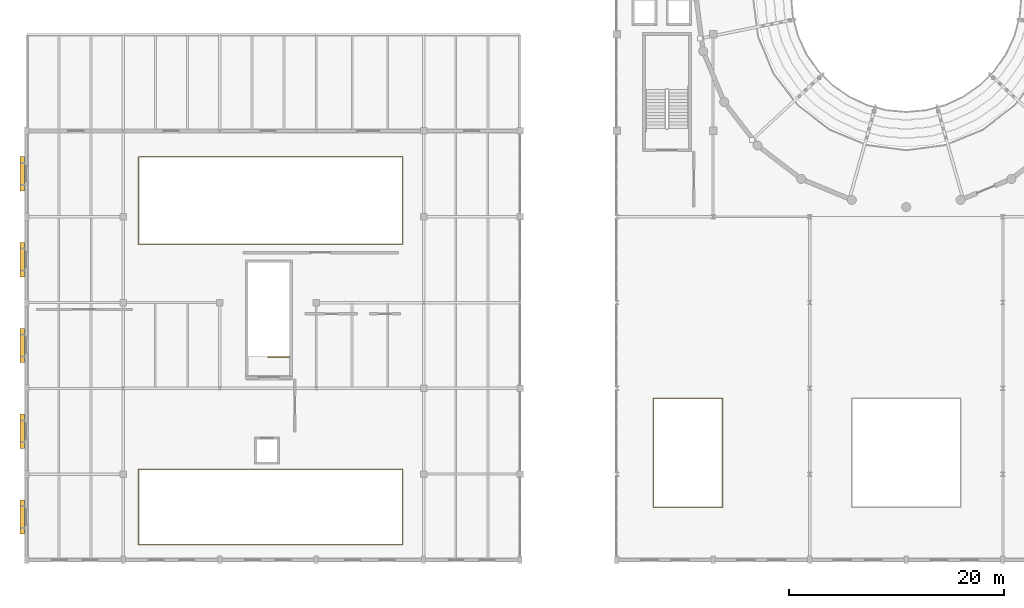
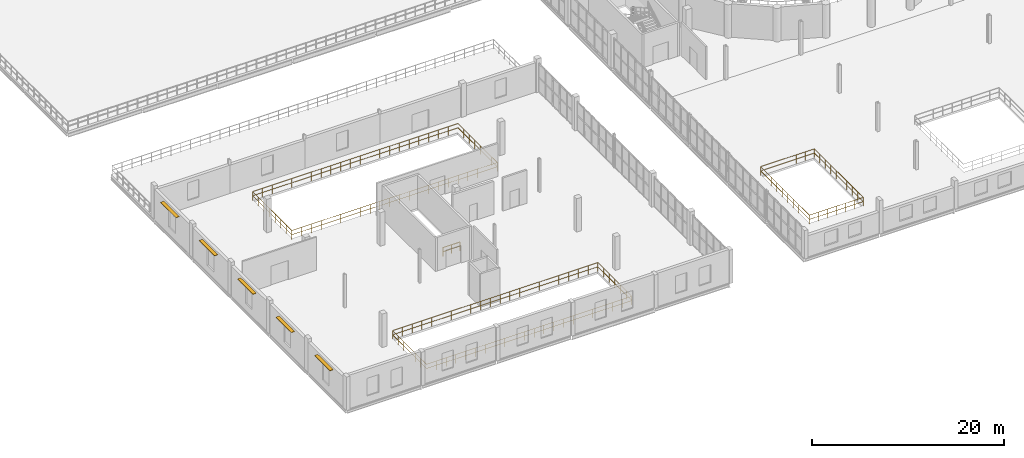
# One storey, part 64 of 73: 5 shading devices, 4 railings.
"""IFC4 building model written with IfcOpenShell, lengths in metres."""

from ifc_helpers import new_model, si_unit, direction, frame, origin, origin_2d, place, context, subcontext, project, spatial, rectangle, circle, extrude, material, layer, layer_set, type_object, element, save


model = new_model("IFC4")

# Units and contexts
model_context = context("Model", 3, precision=1e-05, world=origin(), true_north=direction((0.0, 1.0)))
body_context = subcontext(model_context, "Body", "Model", "MODEL_VIEW")
ifc_project = project(units=[si_unit("LENGTHUNIT", "METRE"), si_unit("AREAUNIT", "SQUARE_METRE"), si_unit("VOLUMEUNIT", "CUBIC_METRE"), si_unit("PLANEANGLEUNIT", "RADIAN"), si_unit("MASSUNIT", "GRAM", prefix="KILO")], contexts=[model_context])

# Site, building, storey
site_placement = place(None, origin())
site = spatial("IfcSite", under=ifc_project, at=site_placement, CompositionType="ELEMENT")
building_placement = place(site_placement, origin())
building = spatial("IfcBuilding", under=site, at=building_placement, Name="Marnock Terrace Opera House", CompositionType="ELEMENT")
storey_placement = place(building_placement, frame((0.0, 0.0, 14.699951171875)))
storey = spatial("IfcBuildingStorey", under=building, at=storey_placement, Name="L03", CompositionType="ELEMENT", Elevation=14.699951171875)

# Railings
ifc_material_1 = material(Name="Architectural bronze balustrade")
railing_type_1 = type_object("IfcRailingType", Name="RL-ATRIUM-1120", PredefinedType="BALUSTRADE", material=ifc_material_1)
railing_1_placement = place(storey_placement, frame((58.419921875, 12.919921875, 0.0)))
element("IfcRailing", 1, at=railing_1_placement, inside=storey, type_object=railing_type_1, Name="L03 floor opening balustrade ATR-1", PredefinedType="BALUSTRADE", context=body_context, shape_type="SweptSolid", body=[
    extrude(circle(Radius=0.02392578125, at=origin_2d()), frame((0.0, 0.0, 1.09619140625), z_axis=(1.0, 0.0, 0.0), x_axis=(0.0, 1.0, 0.0)), (0.0, 0.0, 1.0), 6.4599609375),
    extrude(circle(Radius=0.02392578125, at=origin_2d()), frame((0.0, 0.0, 0.56005859375), z_axis=(1.0, 0.0, 0.0), x_axis=(0.0, 1.0, 0.0)), (0.0, 0.0, 1.0), 6.4599609375),
    extrude(circle(Radius=0.02392578125, at=origin_2d()), frame((6.4599609375, 0.0, 1.09619140625), z_axis=(0.0, 1.0, 0.0), x_axis=(-1.0, 0.0, 0.0)), (0.0, 0.0, 1.0), 10.16015625),
    extrude(circle(Radius=0.02392578125, at=origin_2d()), frame((6.4599609375, 0.0, 0.56005859375), z_axis=(0.0, 1.0, 0.0), x_axis=(-1.0, 0.0, 0.0)), (0.0, 0.0, 1.0), 10.16015625),
    extrude(circle(Radius=0.02392578125, at=origin_2d()), frame((6.4599609375, 10.16015625, 1.09619140625), z_axis=(-1.0, 0.0, 0.0), x_axis=(0.0, -1.0, 0.0)), (0.0, 0.0, 1.0), 6.4599609375),
    extrude(circle(Radius=0.02392578125, at=origin_2d()), frame((6.4599609375, 10.16015625, 0.56005859375), z_axis=(-1.0, 0.0, 0.0), x_axis=(0.0, -1.0, 0.0)), (0.0, 0.0, 1.0), 6.4599609375),
    extrude(circle(Radius=0.02392578125, at=origin_2d()), frame((0.0, 10.16015625, 1.09619140625), z_axis=(0.0, -1.0, 0.0), x_axis=(1.0, 0.0, 0.0)), (0.0, 0.0, 1.0), 10.16015625),
    extrude(circle(Radius=0.02392578125, at=origin_2d()), frame((0.0, 10.16015625, 0.56005859375), z_axis=(0.0, -1.0, 0.0), x_axis=(1.0, 0.0, 0.0)), (0.0, 0.0, 1.0), 10.16015625),
    extrude(circle(Radius=0.02099609375, at=origin_2d()), origin(), (0.0, 0.0, 1.0), 1.072021484375),
    extrude(circle(Radius=0.02099609375, at=origin_2d()), frame((1.07666015625, 0.0, 0.0)), (0.0, 0.0, 1.0), 1.072021484375),
    extrude(circle(Radius=0.02099609375, at=origin_2d()), frame((2.1533203125, 0.0, 0.0)), (0.0, 0.0, 1.0), 1.072021484375),
    extrude(circle(Radius=0.02099609375, at=origin_2d()), frame((3.22998046875, 0.0, 0.0)), (0.0, 0.0, 1.0), 1.072021484375),
    extrude(circle(Radius=0.02099609375, at=origin_2d()), frame((4.306640625, 0.0, 0.0)), (0.0, 0.0, 1.0), 1.072021484375),
    extrude(circle(Radius=0.02099609375, at=origin_2d()), frame((5.38330078125, 0.0, 0.0)), (0.0, 0.0, 1.0), 1.072021484375),
    extrude(circle(Radius=0.02099609375, at=origin_2d()), frame((6.4599609375, 0.0, 0.0)), (0.0, 0.0, 1.0), 1.072021484375),
    extrude(circle(Radius=0.02099609375, at=origin_2d()), frame((6.4599609375, 1.12890625, 0.0)), (0.0, 0.0, 1.0), 1.072021484375),
    extrude(circle(Radius=0.02099609375, at=origin_2d()), frame((6.4599609375, 2.2578125, 0.0)), (0.0, 0.0, 1.0), 1.072021484375),
    extrude(circle(Radius=0.02099609375, at=origin_2d()), frame((6.4599609375, 3.38671875, 0.0)), (0.0, 0.0, 1.0), 1.072021484375),
    extrude(circle(Radius=0.02099609375, at=origin_2d()), frame((6.4599609375, 4.515625, 0.0)), (0.0, 0.0, 1.0), 1.072021484375),
    extrude(circle(Radius=0.02099609375, at=origin_2d()), frame((6.4599609375, 5.64453125, 0.0)), (0.0, 0.0, 1.0), 1.072021484375),
    extrude(circle(Radius=0.02099609375, at=origin_2d()), frame((6.4599609375, 6.7734375, 0.0)), (0.0, 0.0, 1.0), 1.072021484375),
    extrude(circle(Radius=0.02099609375, at=origin_2d()), frame((6.4599609375, 7.90234375, 0.0)), (0.0, 0.0, 1.0), 1.072021484375),
    extrude(circle(Radius=0.02099609375, at=origin_2d()), frame((6.4599609375, 9.03125, 0.0)), (0.0, 0.0, 1.0), 1.072021484375),
    extrude(circle(Radius=0.02099609375, at=origin_2d()), frame((6.4599609375, 10.16015625, 0.0)), (0.0, 0.0, 1.0), 1.072021484375),
    extrude(circle(Radius=0.02099609375, at=origin_2d()), frame((5.38330078125, 10.16015625, 0.0)), (0.0, 0.0, 1.0), 1.072021484375),
    extrude(circle(Radius=0.02099609375, at=origin_2d()), frame((4.306640625, 10.16015625, 0.0)), (0.0, 0.0, 1.0), 1.072021484375),
    extrude(circle(Radius=0.02099609375, at=origin_2d()), frame((3.22998046875, 10.16015625, 0.0)), (0.0, 0.0, 1.0), 1.072021484375),
    extrude(circle(Radius=0.02099609375, at=origin_2d()), frame((2.1533203125, 10.16015625, 0.0)), (0.0, 0.0, 1.0), 1.072021484375),
    extrude(circle(Radius=0.02099609375, at=origin_2d()), frame((1.07666015625, 10.16015625, 0.0)), (0.0, 0.0, 1.0), 1.072021484375),
    extrude(circle(Radius=0.02099609375, at=origin_2d()), frame((0.0, 10.16015625, 0.0)), (0.0, 0.0, 1.0), 1.072021484375),
    extrude(circle(Radius=0.02099609375, at=origin_2d()), frame((0.0, 9.03125, 0.0)), (0.0, 0.0, 1.0), 1.072021484375),
    extrude(circle(Radius=0.02099609375, at=origin_2d()), frame((0.0, 7.90234375, 0.0)), (0.0, 0.0, 1.0), 1.072021484375),
    extrude(circle(Radius=0.02099609375, at=origin_2d()), frame((0.0, 6.7734375, 0.0)), (0.0, 0.0, 1.0), 1.072021484375),
    extrude(circle(Radius=0.02099609375, at=origin_2d()), frame((0.0, 5.64453125, 0.0)), (0.0, 0.0, 1.0), 1.072021484375),
    extrude(circle(Radius=0.02099609375, at=origin_2d()), frame((0.0, 4.515625, 0.0)), (0.0, 0.0, 1.0), 1.072021484375),
    extrude(circle(Radius=0.02099609375, at=origin_2d()), frame((0.0, 3.38671875, 0.0)), (0.0, 0.0, 1.0), 1.072021484375),
    extrude(circle(Radius=0.02099609375, at=origin_2d()), frame((0.0, 2.2578125, 0.0)), (0.0, 0.0, 1.0), 1.072021484375),
    extrude(circle(Radius=0.02099609375, at=origin_2d()), frame((0.0, 1.12890625, 0.0)), (0.0, 0.0, 1.0), 1.072021484375),
])
railing_2_placement = place(storey_placement, frame((10.419921875, 9.419921875, 0.0)))
element("IfcRailing", 2, at=railing_2_placement, inside=storey, type_object=railing_type_1, Name="L03 floor opening balustrade CHAM-VOID-1", PredefinedType="BALUSTRADE", context=body_context, shape_type="SweptSolid", body=[
    extrude(circle(Radius=0.02392578125, at=origin_2d()), frame((0.0, 0.0, 1.09619140625), z_axis=(1.0, 0.0, 0.0), x_axis=(0.0, 1.0, 0.0)), (0.0, 0.0, 1.0), 24.66015625),
    extrude(circle(Radius=0.02392578125, at=origin_2d()), frame((0.0, 0.0, 0.56005859375), z_axis=(1.0, 0.0, 0.0), x_axis=(0.0, 1.0, 0.0)), (0.0, 0.0, 1.0), 24.66015625),
    extrude(circle(Radius=0.02392578125, at=origin_2d()), frame((24.66015625, 0.0, 1.09619140625), z_axis=(0.0, 1.0, 0.0), x_axis=(-1.0, 0.0, 0.0)), (0.0, 0.0, 1.0), 7.06005859375),
    extrude(circle(Radius=0.02392578125, at=origin_2d()), frame((24.66015625, 0.0, 0.56005859375), z_axis=(0.0, 1.0, 0.0), x_axis=(-1.0, 0.0, 0.0)), (0.0, 0.0, 1.0), 7.06005859375),
    extrude(circle(Radius=0.02392578125, at=origin_2d()), frame((24.66015625, 7.06005859375, 1.09619140625), z_axis=(-1.0, 0.0, 0.0), x_axis=(0.0, -1.0, 0.0)), (0.0, 0.0, 1.0), 24.66015625),
    extrude(circle(Radius=0.02392578125, at=origin_2d()), frame((24.66015625, 7.06005859375, 0.56005859375), z_axis=(-1.0, 0.0, 0.0), x_axis=(0.0, -1.0, 0.0)), (0.0, 0.0, 1.0), 24.66015625),
    extrude(circle(Radius=0.02392578125, at=origin_2d()), frame((0.0, 7.06005859375, 1.09619140625), z_axis=(0.0, -1.0, 0.0), x_axis=(1.0, 0.0, 0.0)), (0.0, 0.0, 1.0), 7.06005859375),
    extrude(circle(Radius=0.02392578125, at=origin_2d()), frame((0.0, 7.06005859375, 0.56005859375), z_axis=(0.0, -1.0, 0.0), x_axis=(1.0, 0.0, 0.0)), (0.0, 0.0, 1.0), 7.06005859375),
    extrude(circle(Radius=0.02099609375, at=origin_2d()), origin(), (0.0, 0.0, 1.0), 1.072021484375),
    extrude(circle(Radius=0.02099609375, at=origin_2d()), frame((1.17431640625, 0.0, 0.0)), (0.0, 0.0, 1.0), 1.072021484375),
    extrude(circle(Radius=0.02099609375, at=origin_2d()), frame((2.3486328125, 0.0, 0.0)), (0.0, 0.0, 1.0), 1.072021484375),
    extrude(circle(Radius=0.02099609375, at=origin_2d()), frame((3.52294921875, 0.0, 0.0)), (0.0, 0.0, 1.0), 1.072021484375),
    extrude(circle(Radius=0.02099609375, at=origin_2d()), frame((4.697265625, 0.0, 0.0)), (0.0, 0.0, 1.0), 1.072021484375),
    extrude(circle(Radius=0.02099609375, at=origin_2d()), frame((5.87158203125, 0.0, 0.0)), (0.0, 0.0, 1.0), 1.072021484375),
    extrude(circle(Radius=0.02099609375, at=origin_2d()), frame((7.045654296875, 0.0, 0.0)), (0.0, 0.0, 1.0), 1.072021484375),
    extrude(circle(Radius=0.02099609375, at=origin_2d()), frame((8.219970703125, 0.0, 0.0)), (0.0, 0.0, 1.0), 1.072021484375),
    extrude(circle(Radius=0.02099609375, at=origin_2d()), frame((9.394287109375, 0.0, 0.0)), (0.0, 0.0, 1.0), 1.072021484375),
    extrude(circle(Radius=0.02099609375, at=origin_2d()), frame((10.568603515625, 0.0, 0.0)), (0.0, 0.0, 1.0), 1.072021484375),
    extrude(circle(Radius=0.02099609375, at=origin_2d()), frame((11.742919921875, 0.0, 0.0)), (0.0, 0.0, 1.0), 1.072021484375),
    extrude(circle(Radius=0.02099609375, at=origin_2d()), frame((12.917236328125, 0.0, 0.0)), (0.0, 0.0, 1.0), 1.072021484375),
    extrude(circle(Radius=0.02099609375, at=origin_2d()), frame((14.091552734375, 0.0, 0.0)), (0.0, 0.0, 1.0), 1.072021484375),
    extrude(circle(Radius=0.02099609375, at=origin_2d()), frame((15.265869140625, 0.0, 0.0)), (0.0, 0.0, 1.0), 1.072021484375),
    extrude(circle(Radius=0.02099609375, at=origin_2d()), frame((16.440185546875, 0.0, 0.0)), (0.0, 0.0, 1.0), 1.072021484375),
    extrude(circle(Radius=0.02099609375, at=origin_2d()), frame((17.614501953125, 0.0, 0.0)), (0.0, 0.0, 1.0), 1.072021484375),
    extrude(circle(Radius=0.02099609375, at=origin_2d()), frame((18.78857421875, 0.0, 0.0)), (0.0, 0.0, 1.0), 1.072021484375),
    extrude(circle(Radius=0.02099609375, at=origin_2d()), frame((19.962890625, 0.0, 0.0)), (0.0, 0.0, 1.0), 1.072021484375),
    extrude(circle(Radius=0.02099609375, at=origin_2d()), frame((21.13720703125, 0.0, 0.0)), (0.0, 0.0, 1.0), 1.072021484375),
    extrude(circle(Radius=0.02099609375, at=origin_2d()), frame((22.3115234375, 0.0, 0.0)), (0.0, 0.0, 1.0), 1.072021484375),
    extrude(circle(Radius=0.02099609375, at=origin_2d()), frame((23.48583984375, 0.0, 0.0)), (0.0, 0.0, 1.0), 1.072021484375),
    extrude(circle(Radius=0.02099609375, at=origin_2d()), frame((24.66015625, 0.0, 0.0)), (0.0, 0.0, 1.0), 1.072021484375),
    extrude(circle(Radius=0.02099609375, at=origin_2d()), frame((24.66015625, 1.1767578125, 0.0)), (0.0, 0.0, 1.0), 1.072021484375),
    extrude(circle(Radius=0.02099609375, at=origin_2d()), frame((24.66015625, 2.353271484375, 0.0)), (0.0, 0.0, 1.0), 1.072021484375),
    extrude(circle(Radius=0.02099609375, at=origin_2d()), frame((24.66015625, 3.530029296875, 0.0)), (0.0, 0.0, 1.0), 1.072021484375),
    extrude(circle(Radius=0.02099609375, at=origin_2d()), frame((24.66015625, 4.706787109375, 0.0)), (0.0, 0.0, 1.0), 1.072021484375),
    extrude(circle(Radius=0.02099609375, at=origin_2d()), frame((24.66015625, 5.88330078125, 0.0)), (0.0, 0.0, 1.0), 1.072021484375),
    extrude(circle(Radius=0.02099609375, at=origin_2d()), frame((24.66015625, 7.06005859375, 0.0)), (0.0, 0.0, 1.0), 1.072021484375),
    extrude(circle(Radius=0.02099609375, at=origin_2d()), frame((23.48583984375, 7.06005859375, 0.0)), (0.0, 0.0, 1.0), 1.072021484375),
    extrude(circle(Radius=0.02099609375, at=origin_2d()), frame((22.3115234375, 7.06005859375, 0.0)), (0.0, 0.0, 1.0), 1.072021484375),
    extrude(circle(Radius=0.02099609375, at=origin_2d()), frame((21.13720703125, 7.06005859375, 0.0)), (0.0, 0.0, 1.0), 1.072021484375),
    extrude(circle(Radius=0.02099609375, at=origin_2d()), frame((19.962890625, 7.06005859375, 0.0)), (0.0, 0.0, 1.0), 1.072021484375),
    extrude(circle(Radius=0.02099609375, at=origin_2d()), frame((18.78857421875, 7.06005859375, 0.0)), (0.0, 0.0, 1.0), 1.072021484375),
    extrude(circle(Radius=0.02099609375, at=origin_2d()), frame((17.614501953125, 7.06005859375, 0.0)), (0.0, 0.0, 1.0), 1.072021484375),
    extrude(circle(Radius=0.02099609375, at=origin_2d()), frame((16.440185546875, 7.06005859375, 0.0)), (0.0, 0.0, 1.0), 1.072021484375),
    extrude(circle(Radius=0.02099609375, at=origin_2d()), frame((15.265869140625, 7.06005859375, 0.0)), (0.0, 0.0, 1.0), 1.072021484375),
    extrude(circle(Radius=0.02099609375, at=origin_2d()), frame((14.091552734375, 7.06005859375, 0.0)), (0.0, 0.0, 1.0), 1.072021484375),
    extrude(circle(Radius=0.02099609375, at=origin_2d()), frame((12.917236328125, 7.06005859375, 0.0)), (0.0, 0.0, 1.0), 1.072021484375),
    extrude(circle(Radius=0.02099609375, at=origin_2d()), frame((11.742919921875, 7.06005859375, 0.0)), (0.0, 0.0, 1.0), 1.072021484375),
    extrude(circle(Radius=0.02099609375, at=origin_2d()), frame((10.568603515625, 7.06005859375, 0.0)), (0.0, 0.0, 1.0), 1.072021484375),
    extrude(circle(Radius=0.02099609375, at=origin_2d()), frame((9.394287109375, 7.06005859375, 0.0)), (0.0, 0.0, 1.0), 1.072021484375),
    extrude(circle(Radius=0.02099609375, at=origin_2d()), frame((8.219970703125, 7.06005859375, 0.0)), (0.0, 0.0, 1.0), 1.072021484375),
    extrude(circle(Radius=0.02099609375, at=origin_2d()), frame((7.045654296875, 7.06005859375, 0.0)), (0.0, 0.0, 1.0), 1.072021484375),
    extrude(circle(Radius=0.02099609375, at=origin_2d()), frame((5.87158203125, 7.06005859375, 0.0)), (0.0, 0.0, 1.0), 1.072021484375),
    extrude(circle(Radius=0.02099609375, at=origin_2d()), frame((4.697265625, 7.06005859375, 0.0)), (0.0, 0.0, 1.0), 1.072021484375),
    extrude(circle(Radius=0.02099609375, at=origin_2d()), frame((3.52294921875, 7.06005859375, 0.0)), (0.0, 0.0, 1.0), 1.072021484375),
    extrude(circle(Radius=0.02099609375, at=origin_2d()), frame((2.3486328125, 7.06005859375, 0.0)), (0.0, 0.0, 1.0), 1.072021484375),
    extrude(circle(Radius=0.02099609375, at=origin_2d()), frame((1.17431640625, 7.06005859375, 0.0)), (0.0, 0.0, 1.0), 1.072021484375),
    extrude(circle(Radius=0.02099609375, at=origin_2d()), frame((0.0, 7.06005859375, 0.0)), (0.0, 0.0, 1.0), 1.072021484375),
    extrude(circle(Radius=0.02099609375, at=origin_2d()), frame((0.0, 5.88330078125, 0.0)), (0.0, 0.0, 1.0), 1.072021484375),
    extrude(circle(Radius=0.02099609375, at=origin_2d()), frame((0.0, 4.706787109375, 0.0)), (0.0, 0.0, 1.0), 1.072021484375),
    extrude(circle(Radius=0.02099609375, at=origin_2d()), frame((0.0, 3.530029296875, 0.0)), (0.0, 0.0, 1.0), 1.072021484375),
    extrude(circle(Radius=0.02099609375, at=origin_2d()), frame((0.0, 2.353271484375, 0.0)), (0.0, 0.0, 1.0), 1.072021484375),
    extrude(circle(Radius=0.02099609375, at=origin_2d()), frame((0.0, 1.1767578125, 0.0)), (0.0, 0.0, 1.0), 1.072021484375),
])
railing_3_placement = place(storey_placement, frame((10.419921875, 37.419921875, 0.0)))
element("IfcRailing", 3, at=railing_3_placement, inside=storey, type_object=railing_type_1, Name="L03 floor opening balustrade REH-VOID-1", PredefinedType="BALUSTRADE", context=body_context, shape_type="SweptSolid", body=[
    extrude(circle(Radius=0.02392578125, at=origin_2d()), frame((0.0, 0.0, 1.09619140625), z_axis=(1.0, 0.0, 0.0), x_axis=(0.0, 1.0, 0.0)), (0.0, 0.0, 1.0), 24.66015625),
    extrude(circle(Radius=0.02392578125, at=origin_2d()), frame((0.0, 0.0, 0.56005859375), z_axis=(1.0, 0.0, 0.0), x_axis=(0.0, 1.0, 0.0)), (0.0, 0.0, 1.0), 24.66015625),
    extrude(circle(Radius=0.02392578125, at=origin_2d()), frame((24.66015625, 0.0, 1.09619140625), z_axis=(0.0, 1.0, 0.0), x_axis=(-1.0, 0.0, 0.0)), (0.0, 0.0, 1.0), 8.16015625),
    extrude(circle(Radius=0.02392578125, at=origin_2d()), frame((24.66015625, 0.0, 0.56005859375), z_axis=(0.0, 1.0, 0.0), x_axis=(-1.0, 0.0, 0.0)), (0.0, 0.0, 1.0), 8.16015625),
    extrude(circle(Radius=0.02392578125, at=origin_2d()), frame((24.66015625, 8.16015625, 1.09619140625), z_axis=(-1.0, 0.0, 0.0), x_axis=(0.0, -1.0, 0.0)), (0.0, 0.0, 1.0), 24.66015625),
    extrude(circle(Radius=0.02392578125, at=origin_2d()), frame((24.66015625, 8.16015625, 0.56005859375), z_axis=(-1.0, 0.0, 0.0), x_axis=(0.0, -1.0, 0.0)), (0.0, 0.0, 1.0), 24.66015625),
    extrude(circle(Radius=0.02392578125, at=origin_2d()), frame((0.0, 8.16015625, 1.09619140625), z_axis=(0.0, -1.0, 0.0), x_axis=(1.0, 0.0, 0.0)), (0.0, 0.0, 1.0), 8.16015625),
    extrude(circle(Radius=0.02392578125, at=origin_2d()), frame((0.0, 8.16015625, 0.56005859375), z_axis=(0.0, -1.0, 0.0), x_axis=(1.0, 0.0, 0.0)), (0.0, 0.0, 1.0), 8.16015625),
    extrude(circle(Radius=0.02099609375, at=origin_2d()), origin(), (0.0, 0.0, 1.0), 1.072021484375),
    extrude(circle(Radius=0.02099609375, at=origin_2d()), frame((1.17431640625, 0.0, 0.0)), (0.0, 0.0, 1.0), 1.072021484375),
    extrude(circle(Radius=0.02099609375, at=origin_2d()), frame((2.3486328125, 0.0, 0.0)), (0.0, 0.0, 1.0), 1.072021484375),
    extrude(circle(Radius=0.02099609375, at=origin_2d()), frame((3.52294921875, 0.0, 0.0)), (0.0, 0.0, 1.0), 1.072021484375),
    extrude(circle(Radius=0.02099609375, at=origin_2d()), frame((4.697265625, 0.0, 0.0)), (0.0, 0.0, 1.0), 1.072021484375),
    extrude(circle(Radius=0.02099609375, at=origin_2d()), frame((5.87158203125, 0.0, 0.0)), (0.0, 0.0, 1.0), 1.072021484375),
    extrude(circle(Radius=0.02099609375, at=origin_2d()), frame((7.045654296875, 0.0, 0.0)), (0.0, 0.0, 1.0), 1.072021484375),
    extrude(circle(Radius=0.02099609375, at=origin_2d()), frame((8.219970703125, 0.0, 0.0)), (0.0, 0.0, 1.0), 1.072021484375),
    extrude(circle(Radius=0.02099609375, at=origin_2d()), frame((9.394287109375, 0.0, 0.0)), (0.0, 0.0, 1.0), 1.072021484375),
    extrude(circle(Radius=0.02099609375, at=origin_2d()), frame((10.568603515625, 0.0, 0.0)), (0.0, 0.0, 1.0), 1.072021484375),
    extrude(circle(Radius=0.02099609375, at=origin_2d()), frame((11.742919921875, 0.0, 0.0)), (0.0, 0.0, 1.0), 1.072021484375),
    extrude(circle(Radius=0.02099609375, at=origin_2d()), frame((12.917236328125, 0.0, 0.0)), (0.0, 0.0, 1.0), 1.072021484375),
    extrude(circle(Radius=0.02099609375, at=origin_2d()), frame((14.091552734375, 0.0, 0.0)), (0.0, 0.0, 1.0), 1.072021484375),
    extrude(circle(Radius=0.02099609375, at=origin_2d()), frame((15.265869140625, 0.0, 0.0)), (0.0, 0.0, 1.0), 1.072021484375),
    extrude(circle(Radius=0.02099609375, at=origin_2d()), frame((16.440185546875, 0.0, 0.0)), (0.0, 0.0, 1.0), 1.072021484375),
    extrude(circle(Radius=0.02099609375, at=origin_2d()), frame((17.614501953125, 0.0, 0.0)), (0.0, 0.0, 1.0), 1.072021484375),
    extrude(circle(Radius=0.02099609375, at=origin_2d()), frame((18.78857421875, 0.0, 0.0)), (0.0, 0.0, 1.0), 1.072021484375),
    extrude(circle(Radius=0.02099609375, at=origin_2d()), frame((19.962890625, 0.0, 0.0)), (0.0, 0.0, 1.0), 1.072021484375),
    extrude(circle(Radius=0.02099609375, at=origin_2d()), frame((21.13720703125, 0.0, 0.0)), (0.0, 0.0, 1.0), 1.072021484375),
    extrude(circle(Radius=0.02099609375, at=origin_2d()), frame((22.3115234375, 0.0, 0.0)), (0.0, 0.0, 1.0), 1.072021484375),
    extrude(circle(Radius=0.02099609375, at=origin_2d()), frame((23.48583984375, 0.0, 0.0)), (0.0, 0.0, 1.0), 1.072021484375),
    extrude(circle(Radius=0.02099609375, at=origin_2d()), frame((24.66015625, 0.0, 0.0)), (0.0, 0.0, 1.0), 1.072021484375),
    extrude(circle(Radius=0.02099609375, at=origin_2d()), frame((24.66015625, 1.165771484375, 0.0)), (0.0, 0.0, 1.0), 1.072021484375),
    extrude(circle(Radius=0.02099609375, at=origin_2d()), frame((24.66015625, 2.33154296875, 0.0)), (0.0, 0.0, 1.0), 1.072021484375),
    extrude(circle(Radius=0.02099609375, at=origin_2d()), frame((24.66015625, 3.497314453125, 0.0)), (0.0, 0.0, 1.0), 1.072021484375),
    extrude(circle(Radius=0.02099609375, at=origin_2d()), frame((24.66015625, 4.662841796875, 0.0)), (0.0, 0.0, 1.0), 1.072021484375),
    extrude(circle(Radius=0.02099609375, at=origin_2d()), frame((24.66015625, 5.82861328125, 0.0)), (0.0, 0.0, 1.0), 1.072021484375),
    extrude(circle(Radius=0.02099609375, at=origin_2d()), frame((24.66015625, 6.994384765625, 0.0)), (0.0, 0.0, 1.0), 1.072021484375),
    extrude(circle(Radius=0.02099609375, at=origin_2d()), frame((24.66015625, 8.16015625, 0.0)), (0.0, 0.0, 1.0), 1.072021484375),
    extrude(circle(Radius=0.02099609375, at=origin_2d()), frame((23.48583984375, 8.16015625, 0.0)), (0.0, 0.0, 1.0), 1.072021484375),
    extrude(circle(Radius=0.02099609375, at=origin_2d()), frame((22.3115234375, 8.16015625, 0.0)), (0.0, 0.0, 1.0), 1.072021484375),
    extrude(circle(Radius=0.02099609375, at=origin_2d()), frame((21.13720703125, 8.16015625, 0.0)), (0.0, 0.0, 1.0), 1.072021484375),
    extrude(circle(Radius=0.02099609375, at=origin_2d()), frame((19.962890625, 8.16015625, 0.0)), (0.0, 0.0, 1.0), 1.072021484375),
    extrude(circle(Radius=0.02099609375, at=origin_2d()), frame((18.78857421875, 8.16015625, 0.0)), (0.0, 0.0, 1.0), 1.072021484375),
    extrude(circle(Radius=0.02099609375, at=origin_2d()), frame((17.614501953125, 8.16015625, 0.0)), (0.0, 0.0, 1.0), 1.072021484375),
    extrude(circle(Radius=0.02099609375, at=origin_2d()), frame((16.440185546875, 8.16015625, 0.0)), (0.0, 0.0, 1.0), 1.072021484375),
    extrude(circle(Radius=0.02099609375, at=origin_2d()), frame((15.265869140625, 8.16015625, 0.0)), (0.0, 0.0, 1.0), 1.072021484375),
    extrude(circle(Radius=0.02099609375, at=origin_2d()), frame((14.091552734375, 8.16015625, 0.0)), (0.0, 0.0, 1.0), 1.072021484375),
    extrude(circle(Radius=0.02099609375, at=origin_2d()), frame((12.917236328125, 8.16015625, 0.0)), (0.0, 0.0, 1.0), 1.072021484375),
    extrude(circle(Radius=0.02099609375, at=origin_2d()), frame((11.742919921875, 8.16015625, 0.0)), (0.0, 0.0, 1.0), 1.072021484375),
    extrude(circle(Radius=0.02099609375, at=origin_2d()), frame((10.568603515625, 8.16015625, 0.0)), (0.0, 0.0, 1.0), 1.072021484375),
    extrude(circle(Radius=0.02099609375, at=origin_2d()), frame((9.394287109375, 8.16015625, 0.0)), (0.0, 0.0, 1.0), 1.072021484375),
    extrude(circle(Radius=0.02099609375, at=origin_2d()), frame((8.219970703125, 8.16015625, 0.0)), (0.0, 0.0, 1.0), 1.072021484375),
    extrude(circle(Radius=0.02099609375, at=origin_2d()), frame((7.045654296875, 8.16015625, 0.0)), (0.0, 0.0, 1.0), 1.072021484375),
    extrude(circle(Radius=0.02099609375, at=origin_2d()), frame((5.87158203125, 8.16015625, 0.0)), (0.0, 0.0, 1.0), 1.072021484375),
    extrude(circle(Radius=0.02099609375, at=origin_2d()), frame((4.697265625, 8.16015625, 0.0)), (0.0, 0.0, 1.0), 1.072021484375),
    extrude(circle(Radius=0.02099609375, at=origin_2d()), frame((3.52294921875, 8.16015625, 0.0)), (0.0, 0.0, 1.0), 1.072021484375),
    extrude(circle(Radius=0.02099609375, at=origin_2d()), frame((2.3486328125, 8.16015625, 0.0)), (0.0, 0.0, 1.0), 1.072021484375),
    extrude(circle(Radius=0.02099609375, at=origin_2d()), frame((1.17431640625, 8.16015625, 0.0)), (0.0, 0.0, 1.0), 1.072021484375),
    extrude(circle(Radius=0.02099609375, at=origin_2d()), frame((0.0, 8.16015625, 0.0)), (0.0, 0.0, 1.0), 1.072021484375),
    extrude(circle(Radius=0.02099609375, at=origin_2d()), frame((0.0, 6.994384765625, 0.0)), (0.0, 0.0, 1.0), 1.072021484375),
    extrude(circle(Radius=0.02099609375, at=origin_2d()), frame((0.0, 5.82861328125, 0.0)), (0.0, 0.0, 1.0), 1.072021484375),
    extrude(circle(Radius=0.02099609375, at=origin_2d()), frame((0.0, 4.662841796875, 0.0)), (0.0, 0.0, 1.0), 1.072021484375),
    extrude(circle(Radius=0.02099609375, at=origin_2d()), frame((0.0, 3.497314453125, 0.0)), (0.0, 0.0, 1.0), 1.072021484375),
    extrude(circle(Radius=0.02099609375, at=origin_2d()), frame((0.0, 2.33154296875, 0.0)), (0.0, 0.0, 1.0), 1.072021484375),
    extrude(circle(Radius=0.02099609375, at=origin_2d()), frame((0.0, 1.165771484375, 0.0)), (0.0, 0.0, 1.0), 1.072021484375),
])
railing_type_2 = type_object("IfcRailingType", Name="RL-GUARD-1100", PredefinedType="GUARDRAIL", material=ifc_material_1)
railing_4_placement = place(storey_placement, frame((24.52001953125, 26.909912109375, 0.0)))
element("IfcRailing", 4, at=railing_4_placement, inside=storey, type_object=railing_type_2, Name="L03 ST-05 top well guard 1", PredefinedType="GUARDRAIL", context=body_context, shape_type="SweptSolid", body=[
    extrude(circle(Radius=0.02392578125, at=origin_2d()), frame((0.0, 0.0, 1.076171875), z_axis=(-1.0, 0.0, 0.0), x_axis=(0.0, -1.0, 0.0)), (0.0, 0.0, 1.0), 2.0400390625),
    extrude(circle(Radius=0.02392578125, at=origin_2d()), frame((0.0, 0.0, 0.550048828125), z_axis=(-1.0, 0.0, 0.0), x_axis=(0.0, -1.0, 0.0)), (0.0, 0.0, 1.0), 2.0400390625),
    extrude(circle(Radius=0.02099609375, at=origin_2d()), origin(), (0.0, 0.0, 1.0), 1.052001953125),
    extrude(circle(Radius=0.02099609375, at=origin_2d()), frame((-1.02001953125, 0.0, 0.0)), (0.0, 0.0, 1.0), 1.052001953125),
    extrude(circle(Radius=0.02099609375, at=origin_2d()), frame((-2.0400390625, 0.0, 0.0)), (0.0, 0.0, 1.0), 1.052001953125),
])

# Shading devices
ifc_material_2 = material(Name="Architectural cast bronze")
ifc_layer = layer(ifc_material_2, 0.050048828125)
ifc_layer_set = layer_set([ifc_layer], Name="Architectural cast bronze")
shading_device_type = type_object("IfcShadingDeviceType", Name="SHD-LOUVRE-3200", PredefinedType="JALOUSIE", material=ifc_layer_set)
for number, where, z_axis, x_axis, name in (
    (5, (-0.422607421875, 12.0, 3.509765625), (0.0, 0.0, 1.0), (0.0, 1.0, 0.0), "Adelaide sun-control bronze brise-soleil EW-V3W-L03-1"),
    (6, (-0.422607421875, 20.0, 3.509765625), (0.0, 0.0, 1.0), (0.0, 1.0, 0.0), "Adelaide sun-control bronze brise-soleil EW-V3W-L03-2"),
    (7, (-0.422607421875, 28.0, 3.509765625), (0.0, 0.0, 1.0), (0.0, 1.0, 0.0), "Adelaide sun-control bronze brise-soleil EW-V3W-L03-3"),
    (8, (-0.422607421875, 36.0, 3.54638671875), (0.0, 0.0, 1.0), (0.0, 1.0, 0.0), "Adelaide sun-control bronze brise-soleil EW-V3W-L03-4"),
    (9, (-0.422607421875, 44.0, 3.54638671875), (0.0, 0.0, 1.0), (0.0, 1.0, 0.0), "Adelaide sun-control bronze brise-soleil EW-V3W-L03-5"),
):
    element("IfcShadingDevice", number, at=place(storey_placement, frame(where, z_axis=z_axis, x_axis=x_axis)), inside=storey, type_object=shading_device_type, Name=name, PredefinedType="JALOUSIE", context=body_context, shape_type="SweptSolid", body=[
        extrude(rectangle(XDim=3.199951171875, YDim=0.39990234375, at=origin_2d()), origin(), (0.0, 0.0, 1.0), 0.050048828125),
    ])

save(model, "model.ifc")
